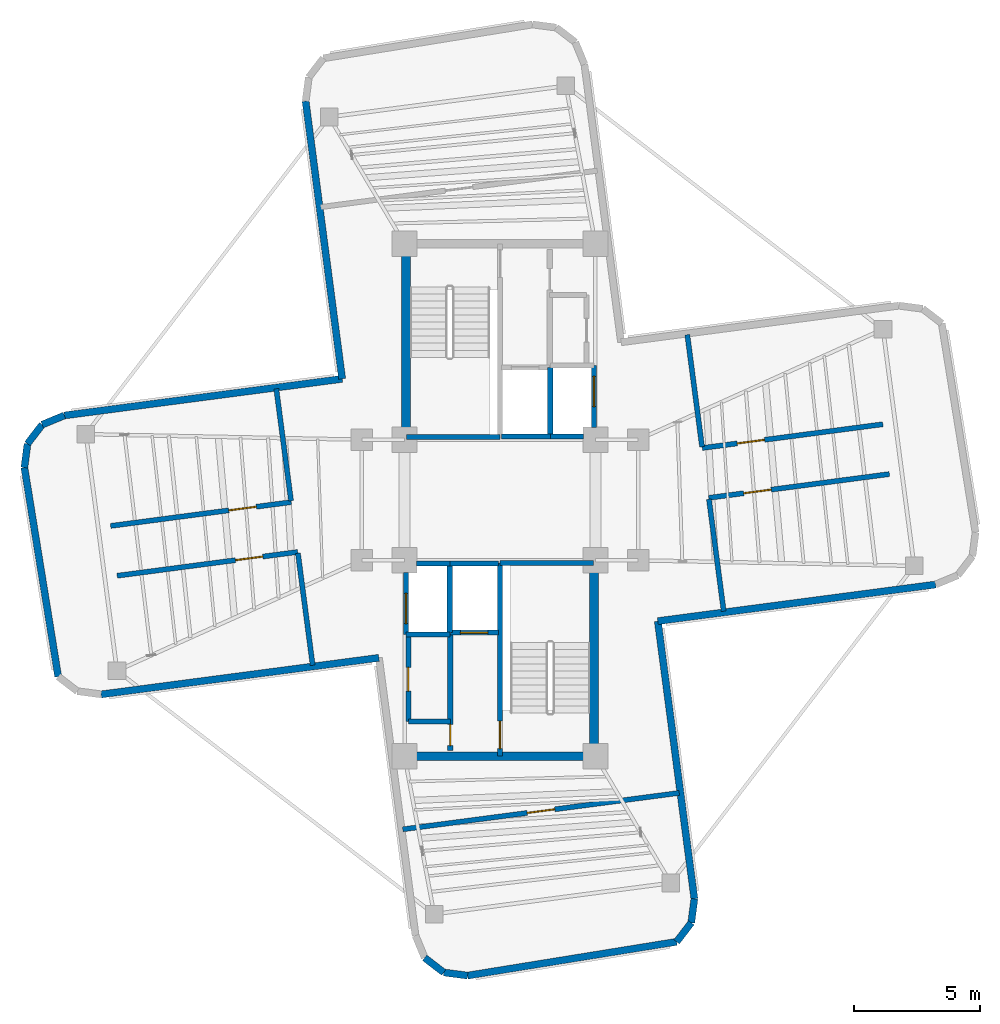
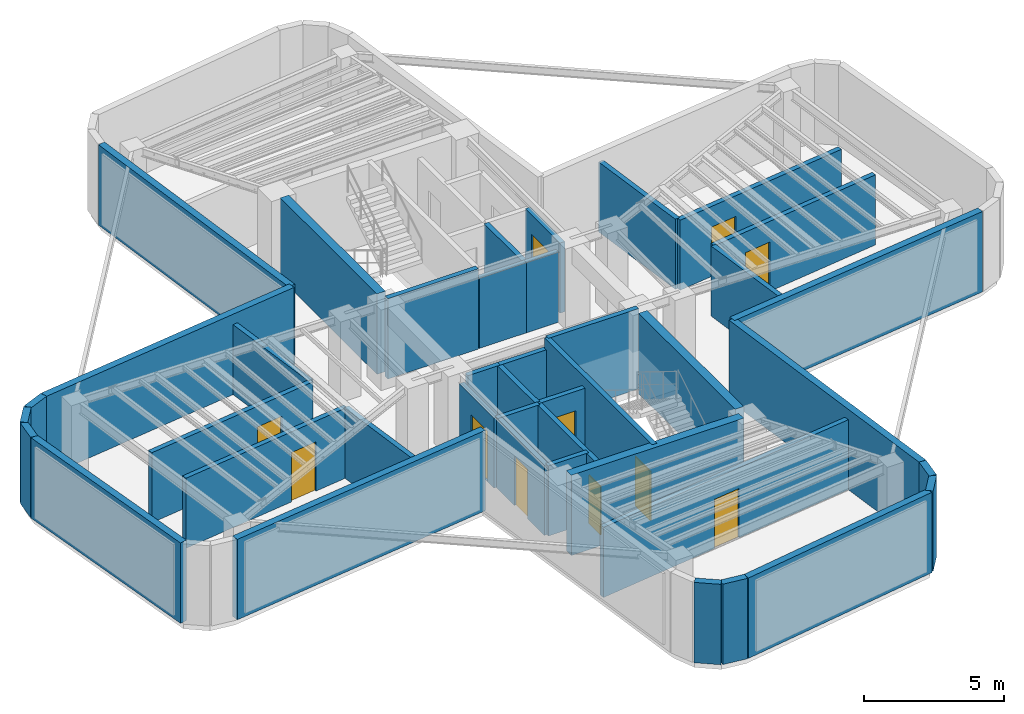
# One storey, part 4 of 6: 42 walls, 11 doors, 11 openings.
"""IFC4 building model written with IfcOpenShell, lengths in metres."""

from ifc_helpers import new_model, si_unit, direction, frame, frame_2d, origin, origin_2d, place, context, subcontext, project, spatial, rectangle, extrude, source, transform, mapped, material, layer, layer_set, type_object, element, fill, save


model = new_model("IFC4")

# Units and contexts
model_context = context("Model", 3, precision=1e-05, world=origin(), true_north=direction((0.0, 1.0)))
body_context = subcontext(model_context, "Body", "Model", "MODEL_VIEW")
ifc_project = project(units=[si_unit("LENGTHUNIT", "METRE"), si_unit("AREAUNIT", "SQUARE_METRE"), si_unit("VOLUMEUNIT", "CUBIC_METRE"), si_unit("PLANEANGLEUNIT", "RADIAN"), si_unit("MASSUNIT", "GRAM", prefix="KILO")], contexts=[model_context])

# Site, building, storey
site_placement = place(None, origin())
site = spatial("IfcSite", under=ifc_project, at=site_placement, CompositionType="ELEMENT")
building_placement = place(site_placement, origin())
building = spatial("IfcBuilding", under=site, at=building_placement, Name="Sahyath Konkavel Grand Hotel", CompositionType="ELEMENT")
storey_placement = place(building_placement, frame((0.0, 0.0, 296.5)))
storey = spatial("IfcBuildingStorey", under=building, at=storey_placement, Name="L82", CompositionType="ELEMENT", Elevation=296.5)

# Walls
ifc_material_1 = material(Name="Concrete C40/50", Category="concrete")
ifc_layer_1 = layer(ifc_material_1, 0.35009765625)
ifc_layer_set_1 = layer_set([ifc_layer_1], Name="Concrete C40/50")
wall_type_1 = type_object("IfcWallType", Name="CWALL-350", PredefinedType="SHEAR", material=ifc_layer_set_1)
wall_1_placement = place(storey_placement, frame((-3.739990234375, 2.85009765625, 0.0), z_axis=(0.0, 0.0, 1.0), x_axis=(0.0, 1.0, 0.0)))
element("IfcWall", 1, at=wall_1_placement, inside=storey, type_object=wall_type_1, Name="L82 North Core Shear Wall W", PredefinedType="SHEAR", context=body_context, shape_type="SweptSolid", body=[
    extrude(rectangle(XDim=6.89990234375, YDim=0.35009765625, at=frame_2d((3.449951171875, 0.0))), origin(), (0.0, 0.0, 1.0), 3.5),
])
wall_2_placement = place(storey_placement, frame((-3.550048828125, -10.199951171875, 0.0), z_axis=(0.0, 0.0, 1.0), x_axis=(1.0, 0.0, 0.0)))
element("IfcWall", 2, at=wall_2_placement, inside=storey, type_object=wall_type_1, Name="L82 South Core Shear Wall S", PredefinedType="SHEAR", context=body_context, shape_type="SweptSolid", body=[
    extrude(rectangle(XDim=7.10009765625, YDim=0.35009765625, at=frame_2d((3.550048828125, 0.0))), origin(), (0.0, 0.0, 1.0), 3.5),
])
wall_3_placement = place(storey_placement, frame((3.739990234375, -9.75, 0.0), z_axis=(0.0, 0.0, 1.0), x_axis=(0.0, 1.0, 0.0)))
element("IfcWall", 3, at=wall_3_placement, inside=storey, type_object=wall_type_1, Name="L82 South Core Shear Wall E", PredefinedType="SHEAR", context=body_context, shape_type="SweptSolid", body=[
    extrude(rectangle(XDim=6.89990234375, YDim=0.35009765625, at=frame_2d((3.449951171875, 0.0))), origin(), (0.0, 0.0, 1.0), 3.5),
])
ifc_layer_2 = layer(ifc_material_1, 0.199951171875)
ifc_layer_set_2 = layer_set([ifc_layer_2], Name="Concrete C40/50")
wall_type_2 = type_object("IfcWallType", Name="WLL-CORE-200", PredefinedType="SOLIDWALL", material=ifc_layer_set_2)
wall_4_placement = place(storey_placement, frame((-3.719970703125, 2.5, 0.0), z_axis=(0.0, 0.0, 1.0), x_axis=(1.0, 0.0, 0.0)))
element("IfcWall", 4, at=wall_4_placement, inside=storey, type_object=wall_type_2, Name="L82 Stair ST-1 Shaft Wall S", PredefinedType="SOLIDWALL", context=body_context, shape_type="SweptSolid", body=[
    extrude(rectangle(XDim=3.719970703125, YDim=0.199951171875, at=frame_2d((1.85986328125, 0.0))), origin(), (0.0, 0.0, 1.0), 3.5),
])

# Wall, opening, door
wall_5_placement = place(storey_placement, frame((0.0, -10.179931640625, 0.0), z_axis=(0.0, 0.0, 1.0), x_axis=(0.0, 1.0, 0.0)))
wall_5 = element("IfcWall", 5, at=wall_5_placement, inside=storey, type_object=wall_type_2, Name="L82 Stair ST-2 Shaft Wall W", PredefinedType="SOLIDWALL", context=body_context, shape_type="SweptSolid", body=[
    extrude(rectangle(XDim=7.679931640625, YDim=0.199951171875, at=frame_2d((3.83984375, 0.0))), origin(), (0.0, 0.0, 1.0), 3.5),
])
opening_1_placement = place(wall_5_placement, frame((0.280029296875, 0.0, 0.0)))
opening_1 = element("IfcOpeningElement", 6, at=opening_1_placement, cuts=wall_5, Name="Opening D-F12B", PredefinedType="OPENING", context=body_context, shape_type="SweptSolid", body=[
    extrude(rectangle(XDim=1.10009765625, YDim=2.14990234375, at=frame_2d((0.550048828125, 1.074951171875))), frame((0.0, 0.10986328125, 0.0), z_axis=(0.0, -1.0, 0.0), x_axis=(1.0, 0.0, 0.0)), (0.0, 0.0, 1.0), 0.219970703125),
])
ifc_material_2 = material(Name="Steel E350 Smokeproof Fire Door", Category="steel")
door_type_1 = type_object("IfcDoorType", Name="DR-FD120-1100", OperationType="NOTDEFINED", PredefinedType="DOOR", material=ifc_material_2)
shared_shape_1 = source(origin(), body_context, "Body", "SweptSolid", [
    extrude(rectangle(XDim=1.10009765625, YDim=0.050048828125, at=origin_2d()), origin(), (0.0, 0.0, 1.0), 2.14990234375),
])
door_1_placement = place(opening_1_placement, frame((0.550048828125, 0.0, 0.0)))
door_1 = element("IfcDoor", 7, at=door_1_placement, inside=storey, type_object=door_type_1, Name="L82 Stair ST-2 Fire Door", OperationType="SINGLE_SWING_LEFT", OverallHeight=2.14990234375, OverallWidth=1.10009765625, PredefinedType="DOOR", context=body_context, shape_type="MappedRepresentation", body=[
    mapped(shared_shape_1, transform((0.0, 0.0, 0.0), scale=1.0)),
])
fill(opening_1, door_1)

# Wall
wall_6_placement = place(storey_placement, frame((0.0, -2.5, 0.0), z_axis=(0.0, 0.0, 1.0), x_axis=(1.0, 0.0, 0.0)))
element("IfcWall", 8, at=wall_6_placement, inside=storey, type_object=wall_type_2, Name="L82 Stair ST-2 Shaft Wall N", PredefinedType="SOLIDWALL", context=body_context, shape_type="SweptSolid", body=[
    extrude(rectangle(XDim=3.719970703125, YDim=0.199951171875, at=frame_2d((1.85986328125, 0.0))), origin(), (0.0, 0.0, 1.0), 3.5),
])

# Wall, opening, door
wall_7_placement = place(storey_placement, frame((-1.97998046875, -9.97998046875, 0.0), z_axis=(0.0, 0.0, 1.0), x_axis=(0.0, 1.0, 0.0)))
wall_7 = element("IfcWall", 9, at=wall_7_placement, inside=storey, type_object=wall_type_2, Name="L82 South Firefighting Lobby Wall W", PredefinedType="SOLIDWALL", context=body_context, shape_type="SweptSolid", body=[
    extrude(rectangle(XDim=4.659912109375, YDim=0.199951171875, at=frame_2d((2.330078125, 0.0))), origin(), (0.0, 0.0, 1.0), 3.050048828125),
])
opening_2_placement = place(wall_7_placement, frame((0.199951171875, 0.0, 0.0)))
opening_2 = element("IfcOpeningElement", 10, at=opening_2_placement, cuts=wall_7, Name="Opening D-F12D", PredefinedType="OPENING", context=body_context, shape_type="SweptSolid", body=[
    extrude(rectangle(XDim=0.85009765625, YDim=2.10009765625, at=frame_2d((0.425048828125, 1.050048828125))), frame((0.0, 0.10986328125, 0.0), z_axis=(0.0, -1.0, 0.0), x_axis=(1.0, 0.0, 0.0)), (0.0, 0.0, 1.0), 0.219970703125),
])
ifc_material_3 = material(Name="Steel E350 Core Fire Door", Category="steel")
door_type_2 = type_object("IfcDoorType", Name="DR-FD120-850", OperationType="NOTDEFINED", PredefinedType="DOOR", material=ifc_material_3)
shared_shape_2 = source(origin(), body_context, "Body", "SweptSolid", [
    extrude(rectangle(XDim=0.85009765625, YDim=0.050048828125, at=origin_2d()), origin(), (0.0, 0.0, 1.0), 2.10009765625),
])
door_2_placement = place(opening_2_placement, frame((0.425048828125, 0.0, 0.0)))
door_2 = element("IfcDoor", 11, at=door_2_placement, inside=storey, type_object=door_type_2, Name="L82 South Firefighting Lobby Door", OperationType="SINGLE_SWING_LEFT", OverallHeight=2.10009765625, OverallWidth=0.85009765625, PredefinedType="DOOR", context=body_context, shape_type="MappedRepresentation", body=[
    mapped(shared_shape_2, transform((0.0, 0.0, 0.0), scale=1.0)),
])
fill(opening_2, door_2)

# Walls
wall_8_placement = place(storey_placement, frame((2.0, 2.5, 0.0), z_axis=(0.0, 0.0, 1.0), x_axis=(0.0, 1.0, 0.0)))
element("IfcWall", 12, at=wall_8_placement, inside=storey, type_object=wall_type_2, Name="L82 Partition SH-FFL1-E", PredefinedType="SOLIDWALL", context=body_context, shape_type="SweptSolid", body=[
    extrude(rectangle(XDim=2.780029296875, YDim=0.199951171875, at=frame_2d((1.39013671875, 0.0))), origin(), (0.0, 0.0, 1.0), 3.050048828125),
])
wall_9_placement = place(storey_placement, frame((0.050048828125, 2.52001953125, 0.0), z_axis=(0.0, 0.0, 1.0), x_axis=(1.0, 0.0, 0.0)))
element("IfcWall", 13, at=wall_9_placement, inside=storey, type_object=wall_type_2, Name="L82 Partition SH-FFL1-S", PredefinedType="SOLIDWALL", context=body_context, shape_type="SweptSolid", body=[
    extrude(rectangle(XDim=1.949951171875, YDim=0.199951171875, at=frame_2d((0.97509765625, 0.0))), origin(), (0.0, 0.0, 1.0), 3.050048828125),
])
wall_10_placement = place(storey_placement, frame((-2.0, -5.280029296875, 0.0), z_axis=(0.0, 0.0, 1.0), x_axis=(0.0, 1.0, 0.0)))
element("IfcWall", 14, at=wall_10_placement, inside=storey, type_object=wall_type_2, Name="L82 Partition SH-FFL2-W", PredefinedType="SOLIDWALL", context=body_context, shape_type="SweptSolid", body=[
    extrude(rectangle(XDim=2.780029296875, YDim=0.199951171875, at=frame_2d((1.39013671875, 0.0))), origin(), (0.0, 0.0, 1.0), 3.050048828125),
])
wall_11_placement = place(storey_placement, frame((-2.0, -2.52001953125, 0.0), z_axis=(0.0, 0.0, 1.0), x_axis=(1.0, 0.0, 0.0)))
element("IfcWall", 15, at=wall_11_placement, inside=storey, type_object=wall_type_2, Name="L82 Partition SH-FFL2-N", PredefinedType="SOLIDWALL", context=body_context, shape_type="SweptSolid", body=[
    extrude(rectangle(XDim=1.949951171875, YDim=0.199951171875, at=frame_2d((0.97509765625, 0.0))), origin(), (0.0, 0.0, 1.0), 3.050048828125),
])

# Wall, opening, door
wall_12_placement = place(storey_placement, frame((-1.97998046875, -5.280029296875, 0.0), z_axis=(0.0, 0.0, 1.0), x_axis=(1.0, 0.0, 0.0)))
wall_12 = element("IfcWall", 16, at=wall_12_placement, inside=storey, type_object=wall_type_2, Name="L82 Partition SH-FFL2-S", PredefinedType="SOLIDWALL", context=body_context, shape_type="SweptSolid", body=[
    extrude(rectangle(XDim=1.929931640625, YDim=0.199951171875, at=frame_2d((0.96484375, 0.0))), origin(), (0.0, 0.0, 1.0), 3.050048828125),
])
opening_3_placement = place(wall_12_placement, frame((0.39990234375, 0.0, 0.0)))
opening_3 = element("IfcOpeningElement", 17, at=opening_3_placement, cuts=wall_12, Name="Opening LD-11", PredefinedType="OPENING", context=body_context, shape_type="SweptSolid", body=[
    extrude(rectangle(XDim=1.10009765625, YDim=2.199951171875, at=frame_2d((0.550048828125, 1.10009765625))), frame((0.0, 0.10986328125, 0.0), z_axis=(0.0, -1.0, 0.0), x_axis=(1.0, 0.0, 0.0)), (0.0, 0.0, 1.0), 0.219970703125),
])
ifc_material_4 = material(Name="Bronze Lift Landing Door 1100")
door_type_3 = type_object("IfcDoorType", Name="DR-LIFT-1100", OperationType="DOUBLE_DOOR_SLIDING", PredefinedType="DOOR", material=ifc_material_4)
shared_shape_3 = source(origin(), body_context, "Body", "SweptSolid", [
    extrude(rectangle(XDim=1.10009765625, YDim=0.050048828125, at=origin_2d()), origin(), (0.0, 0.0, 1.0), 2.199951171875),
])
door_3_placement = place(opening_3_placement, frame((0.550048828125, 0.0, 0.0)))
door_3 = element("IfcDoor", 18, at=door_3_placement, inside=storey, type_object=door_type_3, Name="L82 Lift FFL-2 Landing Door", OperationType="DOUBLE_DOOR_SLIDING", OverallHeight=2.199951171875, OverallWidth=1.10009765625, PredefinedType="DOOR", context=body_context, shape_type="MappedRepresentation", body=[
    mapped(shared_shape_3, transform((0.0, 0.0, 0.0), scale=1.0)),
])
fill(opening_3, door_3)

# Wall
wall_13_placement = place(storey_placement, frame((2.0, 2.52001953125, 0.0), z_axis=(0.0, 0.0, 1.0), x_axis=(1.0, 0.0, 0.0)))
element("IfcWall", 19, at=wall_13_placement, inside=storey, type_object=wall_type_2, Name="L82 Partition SH-SVL1-S", PredefinedType="SOLIDWALL", context=body_context, shape_type="SweptSolid", body=[
    extrude(rectangle(XDim=1.320068359375, YDim=0.199951171875, at=frame_2d((0.66015625, 0.0))), origin(), (0.0, 0.0, 1.0), 3.050048828125),
])

# Wall, opening, door
wall_14_placement = place(storey_placement, frame((3.739990234375, 2.8798828125, 0.0), z_axis=(0.0, 0.0, 1.0), x_axis=(0.0, 1.0, 0.0)))
wall_14 = element("IfcWall", 20, at=wall_14_placement, inside=storey, type_object=wall_type_2, Name="L82 Partition SH-SVL1-E", PredefinedType="SOLIDWALL", context=body_context, shape_type="SweptSolid", body=[
    extrude(rectangle(XDim=2.480224609375, YDim=0.199951171875, at=frame_2d((1.240234375, 0.0))), origin(), (0.0, 0.0, 1.0), 3.050048828125),
])
opening_4_placement = place(wall_14_placement, frame((0.840087890625, 0.0, 0.0)))
opening_4 = element("IfcOpeningElement", 21, at=opening_4_placement, cuts=wall_14, Name="Opening LD-12", PredefinedType="OPENING", context=body_context, shape_type="SweptSolid", body=[
    extrude(rectangle(XDim=1.199951171875, YDim=2.199951171875, at=frame_2d((0.60009765625, 1.10009765625))), frame((0.0, 0.10986328125, 0.0), z_axis=(0.0, -1.0, 0.0), x_axis=(1.0, 0.0, 0.0)), (0.0, 0.0, 1.0), 0.219970703125),
])
ifc_material_5 = material(Name="Stainless Steel Lift Landing Door 1200", Category="steel")
door_type_4 = type_object("IfcDoorType", Name="DR-LIFT-1200", OperationType="DOUBLE_DOOR_SLIDING", PredefinedType="DOOR", material=ifc_material_5)
shared_shape_4 = source(origin(), body_context, "Body", "SweptSolid", [
    extrude(rectangle(XDim=1.199951171875, YDim=0.050048828125, at=origin_2d()), origin(), (0.0, 0.0, 1.0), 2.199951171875),
])
door_4_placement = place(opening_4_placement, frame((0.60009765625, 0.0, 0.0)))
door_4 = element("IfcDoor", 22, at=door_4_placement, inside=storey, type_object=door_type_4, Name="L82 Service Lift SVL-1 Landing Door", OperationType="DOUBLE_DOOR_SLIDING", OverallHeight=2.199951171875, OverallWidth=1.199951171875, PredefinedType="DOOR", context=body_context, shape_type="MappedRepresentation", body=[
    mapped(shared_shape_4, transform((0.0, 0.0, 0.0), scale=1.0)),
])
fill(opening_4, door_4)

# Walls
wall_15_placement = place(storey_placement, frame((-3.320068359375, -2.52001953125, 0.0), z_axis=(0.0, 0.0, 1.0), x_axis=(1.0, 0.0, 0.0)))
element("IfcWall", 23, at=wall_15_placement, inside=storey, type_object=wall_type_2, Name="L82 Partition SH-SVL2-N", PredefinedType="SOLIDWALL", context=body_context, shape_type="SweptSolid", body=[
    extrude(rectangle(XDim=1.320068359375, YDim=0.199951171875, at=frame_2d((0.66015625, 0.0))), origin(), (0.0, 0.0, 1.0), 3.050048828125),
])
wall_16_placement = place(storey_placement, frame((-3.739990234375, -5.360107421875, 0.0), z_axis=(0.0, 0.0, 1.0), x_axis=(1.0, 0.0, 0.0)))
element("IfcWall", 24, at=wall_16_placement, inside=storey, type_object=wall_type_2, Name="L82 Partition SH-SVL2-S", PredefinedType="SOLIDWALL", context=body_context, shape_type="SweptSolid", body=[
    extrude(rectangle(XDim=1.739990234375, YDim=0.199951171875, at=frame_2d((0.8701171875, 0.0))), origin(), (0.0, 0.0, 1.0), 3.050048828125),
])

# Wall, opening, door
wall_17_placement = place(storey_placement, frame((-3.739990234375, -5.360107421875, 0.0), z_axis=(0.0, 0.0, 1.0), x_axis=(0.0, 1.0, 0.0)))
wall_17 = element("IfcWall", 25, at=wall_17_placement, inside=storey, type_object=wall_type_2, Name="L82 Partition SH-SVL2-W", PredefinedType="SOLIDWALL", context=body_context, shape_type="SweptSolid", body=[
    extrude(rectangle(XDim=2.480224609375, YDim=0.199951171875, at=frame_2d((1.240234375, 0.0))), origin(), (0.0, 0.0, 1.0), 3.050048828125),
])
opening_5_placement = place(wall_17_placement, frame((0.43994140625, 0.0, 0.0)))
opening_5 = element("IfcOpeningElement", 26, at=opening_5_placement, cuts=wall_17, Name="Opening LD-12", PredefinedType="OPENING", context=body_context, shape_type="SweptSolid", body=[
    extrude(rectangle(XDim=1.199951171875, YDim=2.199951171875, at=frame_2d((0.60009765625, 1.10009765625))), frame((0.0, 0.10986328125, 0.0), z_axis=(0.0, -1.0, 0.0), x_axis=(1.0, 0.0, 0.0)), (0.0, 0.0, 1.0), 0.219970703125),
])
door_5_placement = place(opening_5_placement, frame((0.60009765625, 0.0, 0.0)))
door_5 = element("IfcDoor", 27, at=door_5_placement, inside=storey, type_object=door_type_4, Name="L82 Service Lift SVL-2 Landing Door", OperationType="DOUBLE_DOOR_SLIDING", OverallHeight=2.199951171875, OverallWidth=1.199951171875, PredefinedType="DOOR", context=body_context, shape_type="MappedRepresentation", body=[
    mapped(shared_shape_4, transform((0.0, 0.0, 0.0), scale=1.0)),
])
fill(opening_5, door_5)

wall_18_placement = place(storey_placement, frame((-3.64990234375, -8.81005859375, 0.0), z_axis=(0.0, 0.0, 1.0), x_axis=(0.0, 1.0, 0.0)))
wall_18 = element("IfcWall", 28, at=wall_18_placement, inside=storey, type_object=wall_type_2, Name="L82 Reclaimed South Core Wall W", PredefinedType="SOLIDWALL", context=body_context, shape_type="SweptSolid", body=[
    extrude(rectangle(XDim=3.43017578125, YDim=0.199951171875, at=frame_2d((1.715087890625, 0.0))), origin(), (0.0, 0.0, 1.0), 3.050048828125),
])
opening_6_placement = place(wall_18_placement, frame((1.199951171875, 0.0, 0.0)))
opening_6 = element("IfcOpeningElement", 29, at=opening_6_placement, cuts=wall_18, Name="Opening D-AC95", PredefinedType="OPENING", context=body_context, shape_type="SweptSolid", body=[
    extrude(rectangle(XDim=0.949951171875, YDim=2.14990234375, at=frame_2d((0.47509765625, 1.074951171875))), frame((0.0, 0.10986328125, 0.0), z_axis=(0.0, -1.0, 0.0), x_axis=(1.0, 0.0, 0.0)), (0.0, 0.0, 1.0), 0.219970703125),
])
ifc_material_6 = material(Name="Accessible Washroom Timber Door", Category="wood")
door_type_5 = type_object("IfcDoorType", Name="DR-ACC-950", OperationType="NOTDEFINED", PredefinedType="DOOR", material=ifc_material_6)
shared_shape_5 = source(origin(), body_context, "Body", "SweptSolid", [
    extrude(rectangle(XDim=0.949951171875, YDim=0.050048828125, at=origin_2d()), origin(), (0.0, 0.0, 1.0), 2.14990234375),
])
door_6_placement = place(opening_6_placement, frame((0.47509765625, 0.0, 0.0)))
door_6 = element("IfcDoor", 30, at=door_6_placement, inside=storey, type_object=door_type_5, Name="L82 Door SC-REC1-D", OperationType="SINGLE_SWING_LEFT", OverallHeight=2.14990234375, OverallWidth=0.949951171875, PredefinedType="DOOR", context=body_context, shape_type="MappedRepresentation", body=[
    mapped(shared_shape_5, transform((0.0, 0.0, 0.0), scale=1.0)),
])
fill(opening_6, door_6)

# Wall
wall_19_placement = place(storey_placement, frame((-3.64990234375, -8.81005859375, 0.0), z_axis=(0.0, 0.0, 1.0), x_axis=(1.0, 0.0, 0.0)))
element("IfcWall", 31, at=wall_19_placement, inside=storey, type_object=wall_type_2, Name="L82 Partition SC-REC-S", PredefinedType="SOLIDWALL", context=body_context, shape_type="SweptSolid", body=[
    extrude(rectangle(XDim=1.669921875, YDim=0.199951171875, at=frame_2d((0.8349609375, 0.0))), origin(), (0.0, 0.0, 1.0), 3.050048828125),
])

# Wall, opening, door
wall_20_placement = place(storey_placement, frame((8.048828125, 2.068359375, 0.0), z_axis=(0.0, 0.0, 1.0), x_axis=(0.991445353075, 0.130522457324, 0.0)))
wall_20 = element("IfcWall", 32, at=wall_20_placement, inside=storey, type_object=wall_type_2, Name="L82 Partition CP-E1-W", PredefinedType="SOLIDWALL", context=body_context, shape_type="SweptSolid", body=[
    extrude(rectangle(XDim=7.25, YDim=0.199951171875, at=frame_2d((3.625, 0.0))), origin(), (0.0, 0.0, 1.0), 3.050048828125),
])
opening_7_placement = place(wall_20_placement, frame((1.39990234375, 0.0, 0.0)))
opening_7 = element("IfcOpeningElement", 33, at=opening_7_placement, cuts=wall_20, Name="Opening D-F12B", PredefinedType="OPENING", context=body_context, shape_type="SweptSolid", body=[
    extrude(rectangle(XDim=1.10009765625, YDim=2.14990234375, at=frame_2d((0.550048828125, 1.074951171875))), frame((0.0, 0.10986328125, 0.0), z_axis=(0.0, -1.0, 0.0), x_axis=(1.0, 0.0, 0.0)), (0.0, 0.0, 1.0), 0.219970703125),
])
door_7_placement = place(opening_7_placement, frame((0.550048828125, 0.0, 0.0)))
door_7 = element("IfcDoor", 34, at=door_7_placement, inside=storey, type_object=door_type_1, Name="L82 Door CP-E1-D", OperationType="SINGLE_SWING_RIGHT", OverallHeight=2.14990234375, OverallWidth=1.10009765625, PredefinedType="DOOR", context=body_context, shape_type="MappedRepresentation", body=[
    mapped(shared_shape_1, transform((0.0, 0.0, 0.0), scale=1.0)),
])
fill(opening_7, door_7)

# Wall
wall_21_placement = place(storey_placement, frame((8.04248046875, 2.117919921875, 0.0), z_axis=(0.0, 0.0, 1.0), x_axis=(-0.130535912089, 0.99144358168, 0.0)))
element("IfcWall", 35, at=wall_21_placement, inside=storey, type_object=wall_type_2, Name="L82 Partition CP-E1-IN", PredefinedType="SOLIDWALL", context=body_context, shape_type="SweptSolid", body=[
    extrude(rectangle(XDim=4.5, YDim=0.199951171875, at=frame_2d((2.25, 0.0))), origin(), (0.0, 0.0, 1.0), 3.050048828125),
])

# Wall, opening, door
wall_22_placement = place(storey_placement, frame((8.309814453125, 0.08544921875, 0.0), z_axis=(0.0, 0.0, 1.0), x_axis=(0.991445353075, 0.130522457324, 0.0)))
wall_22 = element("IfcWall", 36, at=wall_22_placement, inside=storey, type_object=wall_type_2, Name="L82 Partition CP-E2-W", PredefinedType="SOLIDWALL", context=body_context, shape_type="SweptSolid", body=[
    extrude(rectangle(XDim=7.25, YDim=0.199951171875, at=frame_2d((3.625, 0.0))), origin(), (0.0, 0.0, 1.0), 3.050048828125),
])
opening_8_placement = place(wall_22_placement, frame((1.39990234375, 0.0, 0.0)))
opening_8 = element("IfcOpeningElement", 37, at=opening_8_placement, cuts=wall_22, Name="Opening D-F12B", PredefinedType="OPENING", context=body_context, shape_type="SweptSolid", body=[
    extrude(rectangle(XDim=1.10009765625, YDim=2.14990234375, at=frame_2d((0.550048828125, 1.074951171875))), frame((0.0, 0.10986328125, 0.0), z_axis=(0.0, -1.0, 0.0), x_axis=(1.0, 0.0, 0.0)), (0.0, 0.0, 1.0), 0.219970703125),
])
door_8_placement = place(opening_8_placement, frame((0.550048828125, 0.0, 0.0)))
door_8 = element("IfcDoor", 38, at=door_8_placement, inside=storey, type_object=door_type_1, Name="L82 Door CP-E2-D", OperationType="SINGLE_SWING_LEFT", OverallHeight=2.14990234375, OverallWidth=1.10009765625, PredefinedType="DOOR", context=body_context, shape_type="MappedRepresentation", body=[
    mapped(shared_shape_1, transform((0.0, 0.0, 0.0), scale=1.0)),
])
fill(opening_8, door_8)

# Wall
wall_23_placement = place(storey_placement, frame((8.90380859375, -4.42578125, 0.0), z_axis=(0.0, 0.0, 1.0), x_axis=(-0.130528890923, 0.991444506079, 0.0)))
element("IfcWall", 39, at=wall_23_placement, inside=storey, type_object=wall_type_2, Name="L82 Partition CP-E2-IN", PredefinedType="SOLIDWALL", context=body_context, shape_type="SweptSolid", body=[
    extrude(rectangle(XDim=4.500244140625, YDim=0.199951171875, at=frame_2d((2.25, 0.0))), origin(), (0.0, 0.0, 1.0), 3.050048828125),
])

# Wall, opening, door
wall_24_placement = place(storey_placement, frame((-8.048828125, -2.068359375, 0.0), z_axis=(0.0, 0.0, 1.0), x_axis=(-0.991445353075, -0.130522457324, 0.0)))
wall_24 = element("IfcWall", 40, at=wall_24_placement, inside=storey, type_object=wall_type_2, Name="L82 Partition CP-W1-W", PredefinedType="SOLIDWALL", context=body_context, shape_type="SweptSolid", body=[
    extrude(rectangle(XDim=7.25, YDim=0.199951171875, at=frame_2d((3.625, 0.0))), origin(), (0.0, 0.0, 1.0), 3.050048828125),
])
opening_9_placement = place(wall_24_placement, frame((1.39990234375, 0.0, 0.0)))
opening_9 = element("IfcOpeningElement", 41, at=opening_9_placement, cuts=wall_24, Name="Opening D-F12B", PredefinedType="OPENING", context=body_context, shape_type="SweptSolid", body=[
    extrude(rectangle(XDim=1.10009765625, YDim=2.14990234375, at=frame_2d((0.550048828125, 1.074951171875))), frame((0.0, 0.10986328125, 0.0), z_axis=(0.0, -1.0, 0.0), x_axis=(1.0, 0.0, 0.0)), (0.0, 0.0, 1.0), 0.219970703125),
])
door_9_placement = place(opening_9_placement, frame((0.550048828125, 0.0, 0.0)))
door_9 = element("IfcDoor", 42, at=door_9_placement, inside=storey, type_object=door_type_1, Name="L82 Door CP-W1-D", OperationType="SINGLE_SWING_RIGHT", OverallHeight=2.14990234375, OverallWidth=1.10009765625, PredefinedType="DOOR", context=body_context, shape_type="MappedRepresentation", body=[
    mapped(shared_shape_1, transform((0.0, 0.0, 0.0), scale=1.0)),
])
fill(opening_9, door_9)

# Wall
wall_25_placement = place(storey_placement, frame((-8.04248046875, -2.117919921875, 0.0), z_axis=(0.0, 0.0, 1.0), x_axis=(0.130535912089, -0.99144358168, 0.0)))
element("IfcWall", 43, at=wall_25_placement, inside=storey, type_object=wall_type_2, Name="L82 Partition CP-W1-IN", PredefinedType="SOLIDWALL", context=body_context, shape_type="SweptSolid", body=[
    extrude(rectangle(XDim=4.5, YDim=0.199951171875, at=frame_2d((2.25, 0.0))), origin(), (0.0, 0.0, 1.0), 3.050048828125),
])

# Wall, opening, door
wall_26_placement = place(storey_placement, frame((-8.309814453125, -0.08544921875, 0.0), z_axis=(0.0, 0.0, 1.0), x_axis=(-0.991445353075, -0.130522457324, 0.0)))
wall_26 = element("IfcWall", 44, at=wall_26_placement, inside=storey, type_object=wall_type_2, Name="L82 Partition CP-W2-W", PredefinedType="SOLIDWALL", context=body_context, shape_type="SweptSolid", body=[
    extrude(rectangle(XDim=7.25, YDim=0.199951171875, at=frame_2d((3.625, 0.0))), origin(), (0.0, 0.0, 1.0), 3.050048828125),
])
opening_10_placement = place(wall_26_placement, frame((1.39990234375, 0.0, 0.0)))
opening_10 = element("IfcOpeningElement", 45, at=opening_10_placement, cuts=wall_26, Name="Opening D-F12B", PredefinedType="OPENING", context=body_context, shape_type="SweptSolid", body=[
    extrude(rectangle(XDim=1.10009765625, YDim=2.14990234375, at=frame_2d((0.550048828125, 1.074951171875))), frame((0.0, 0.10986328125, 0.0), z_axis=(0.0, -1.0, 0.0), x_axis=(1.0, 0.0, 0.0)), (0.0, 0.0, 1.0), 0.219970703125),
])
door_10_placement = place(opening_10_placement, frame((0.550048828125, 0.0, 0.0)))
door_10 = element("IfcDoor", 46, at=door_10_placement, inside=storey, type_object=door_type_1, Name="L82 Door CP-W2-D", OperationType="SINGLE_SWING_LEFT", OverallHeight=2.14990234375, OverallWidth=1.10009765625, PredefinedType="DOOR", context=body_context, shape_type="MappedRepresentation", body=[
    mapped(shared_shape_1, transform((0.0, 0.0, 0.0), scale=1.0)),
])
fill(opening_10, door_10)

# Wall
wall_27_placement = place(storey_placement, frame((-8.90380859375, 4.42578125, 0.0), z_axis=(0.0, 0.0, 1.0), x_axis=(0.130528890923, -0.991444506079, 0.0)))
element("IfcWall", 47, at=wall_27_placement, inside=storey, type_object=wall_type_2, Name="L82 Partition CP-W2-IN", PredefinedType="SOLIDWALL", context=body_context, shape_type="SweptSolid", body=[
    extrude(rectangle(XDim=4.500244140625, YDim=0.199951171875, at=frame_2d((2.25, 0.0))), origin(), (0.0, 0.0, 1.0), 3.050048828125),
])

# Wall, opening, door
wall_28_placement = place(storey_placement, frame((-3.872314453125, -13.107666015625, 0.0), z_axis=(0.0, 0.0, 1.0), x_axis=(0.991443437127, 0.130537009991, 0.0)))
wall_28 = element("IfcWall", 48, at=wall_28_placement, inside=storey, type_object=wall_type_2, Name="L82 Partition CP-BLR-IN", PredefinedType="SOLIDWALL", context=body_context, shape_type="SweptSolid", body=[
    extrude(rectangle(XDim=11.10009765625, YDim=0.199951171875, at=frame_2d((5.550048828125, 0.0))), origin(), (0.0, 0.0, 1.0), 3.050048828125),
])
opening_11_placement = place(wall_28_placement, frame((5.0, 0.0, 0.0)))
opening_11 = element("IfcOpeningElement", 49, at=opening_11_placement, cuts=wall_28, Name="Opening D-F12B", PredefinedType="OPENING", context=body_context, shape_type="SweptSolid", body=[
    extrude(rectangle(XDim=1.10009765625, YDim=2.14990234375, at=frame_2d((0.550048828125, 1.074951171875))), frame((0.0, 0.10986328125, 0.0), z_axis=(0.0, -1.0, 0.0), x_axis=(1.0, 0.0, 0.0)), (0.0, 0.0, 1.0), 0.219970703125),
])
door_11_placement = place(opening_11_placement, frame((0.550048828125, 0.0, 0.0)))
door_11 = element("IfcDoor", 50, at=door_11_placement, inside=storey, type_object=door_type_1, Name="L82 Door CP-BLR-D", OperationType="SINGLE_SWING_LEFT", OverallHeight=2.14990234375, OverallWidth=1.10009765625, PredefinedType="DOOR", context=body_context, shape_type="MappedRepresentation", body=[
    mapped(shared_shape_1, transform((0.0, 0.0, 0.0), scale=1.0)),
])
fill(opening_11, door_11)

# Walls
ifc_material_7 = material(Name="Warm Buff Sandstone Insulated Concrete C40/50", Category="masonry")
ifc_layer_3 = layer(ifc_material_7, 0.280029296875)
ifc_layer_set_3 = layer_set([ifc_layer_3], Name="Warm Buff Sandstone Insulated Concrete C40/50")
wall_type_3 = type_object("IfcWallType", Name="WLL-CROWN-CLAD", PredefinedType="SOLIDWALL", material=ifc_layer_set_3)
for number, where, z_axis, x_axis, name in (
    (51, (6.282958984375, -4.821044921875, 0.0), (0.0, 0.0, 1.0), (0.991445499165, 0.130521347626, 0.0), "L82 Crown Sandstone & Acoustic Louvre Wall 0"),
    (52, (-7.73828125, 15.875732421875, 0.0), (0.0, 0.0, 1.0), (0.130521347626, -0.991445499165, 0.0), "L82 Crown Sandstone & Acoustic Louvre Wall 15"),
    (53, (-6.282958984375, 4.821044921875, 0.0), (0.0, 0.0, 1.0), (-0.991445499165, -0.130521347626, 0.0), "L82 Crown Sandstone & Acoustic Louvre Wall 16"),
):
    element("IfcWall", number, at=place(storey_placement, frame(where, z_axis=z_axis, x_axis=x_axis)), inside=storey, type_object=wall_type_3, Name=name, PredefinedType="SOLIDWALL", context=body_context, shape_type="SweptSolid", body=[
        extrude(rectangle(XDim=11.150146484375, YDim=0.280029296875, at=frame_2d((5.5751953125, 0.0))), origin(), (0.0, 0.0, 1.0), 3.5),
    ])
for number, where, z_axis, x_axis, name in (
    (54, (-17.337646484375, 3.36572265625, 0.0), (0.0, 0.0, 1.0), (-0.923889442397, -0.382659506909, 0.0), "L82 Crown Sandstone & Acoustic Louvre Wall 17"),
    (55, (-18.222412109375, 2.999267578125, 0.0), (0.0, 0.0, 1.0), (-0.608774010809, -0.793343685778, 0.0), "L82 Crown Sandstone & Acoustic Louvre Wall 18"),
    (56, (-18.805419921875, 2.239501953125, 0.0), (0.0, 0.0, 1.0), (-0.130527053476, -0.991444747987, 0.0), "L82 Crown Sandstone & Acoustic Louvre Wall 19"),
):
    element("IfcWall", number, at=place(storey_placement, frame(where, z_axis=z_axis, x_axis=x_axis)), inside=storey, type_object=wall_type_3, Name=name, PredefinedType="SOLIDWALL", context=body_context, shape_type="SweptSolid", body=[
        extrude(rectangle(XDim=0.957763671875, YDim=0.280029296875, at=frame_2d((0.47900390625, 0.0))), origin(), (0.0, 0.0, 1.0), 3.5),
    ])
wall_29_placement = place(storey_placement, frame((-18.930419921875, 1.2900390625, 0.0), z_axis=(0.0, 0.0, 1.0), x_axis=(0.159629483961, -0.987176999251, 0.0)))
element("IfcWall", 57, at=wall_29_placement, inside=storey, type_object=wall_type_3, Name="L82 Crown Sandstone & Acoustic Louvre Wall 20", PredefinedType="SOLIDWALL", context=body_context, shape_type="SweptSolid", body=[
    extrude(rectangle(XDim=8.4287109375, YDim=0.280029296875, at=frame_2d((4.21435546875, 0.0))), origin(), (0.0, 0.0, 1.0), 3.5),
])
wall_30_placement = place(storey_placement, frame((-15.875732421875, -7.73828125, 0.0), z_axis=(0.0, 0.0, 1.0), x_axis=(0.991445499165, 0.130521347626, 0.0)))
element("IfcWall", 58, at=wall_30_placement, inside=storey, type_object=wall_type_3, Name="L82 Crown Sandstone & Acoustic Louvre Wall 23", PredefinedType="SOLIDWALL", context=body_context, shape_type="SweptSolid", body=[
    extrude(rectangle(XDim=11.150146484375, YDim=0.280029296875, at=frame_2d((5.5751953125, 0.0))), origin(), (0.0, 0.0, 1.0), 3.5),
])
for number, where, z_axis, x_axis, name in (
    (59, (-2.999267578125, -18.222412109375, 0.0), (0.0, 0.0, 1.0), (0.793343685778, -0.608774010809, 0.0), "L82 Crown Sandstone & Acoustic Louvre Wall 26"),
    (60, (-2.239501953125, -18.805419921875, 0.0), (0.0, 0.0, 1.0), (0.991444747987, -0.130527053476, 0.0), "L82 Crown Sandstone & Acoustic Louvre Wall 27"),
):
    element("IfcWall", number, at=place(storey_placement, frame(where, z_axis=z_axis, x_axis=x_axis)), inside=storey, type_object=wall_type_3, Name=name, PredefinedType="SOLIDWALL", context=body_context, shape_type="SweptSolid", body=[
        extrude(rectangle(XDim=0.957763671875, YDim=0.280029296875, at=frame_2d((0.47900390625, 0.0))), origin(), (0.0, 0.0, 1.0), 3.5),
    ])
wall_31_placement = place(storey_placement, frame((-1.2900390625, -18.930419921875, 0.0), z_axis=(0.0, 0.0, 1.0), x_axis=(0.987176999251, 0.159629483961, 0.0)))
element("IfcWall", 61, at=wall_31_placement, inside=storey, type_object=wall_type_3, Name="L82 Crown Sandstone & Acoustic Louvre Wall 28", PredefinedType="SOLIDWALL", context=body_context, shape_type="SweptSolid", body=[
    extrude(rectangle(XDim=8.4287109375, YDim=0.280029296875, at=frame_2d((4.21435546875, 0.0))), origin(), (0.0, 0.0, 1.0), 3.5),
])
wall_32_placement = place(storey_placement, frame((7.030517578125, -17.5849609375, 0.0), z_axis=(0.0, 0.0, 1.0), x_axis=(0.60861352168, 0.793466811674, 0.0)))
element("IfcWall", 62, at=wall_32_placement, inside=storey, type_object=wall_type_3, Name="L82 Crown Sandstone & Acoustic Louvre Wall 29", PredefinedType="SOLIDWALL", context=body_context, shape_type="SweptSolid", body=[
    extrude(rectangle(XDim=0.95751953125, YDim=0.280029296875, at=frame_2d((0.478759765625, 0.0))), origin(), (0.0, 0.0, 1.0), 3.5),
])
wall_33_placement = place(storey_placement, frame((7.61328125, -16.8251953125, 0.0), z_axis=(0.0, 0.0, 1.0), x_axis=(0.130527053476, 0.991444747987, 0.0)))
element("IfcWall", 63, at=wall_33_placement, inside=storey, type_object=wall_type_3, Name="L82 Crown Sandstone & Acoustic Louvre Wall 30", PredefinedType="SOLIDWALL", context=body_context, shape_type="SweptSolid", body=[
    extrude(rectangle(XDim=0.957763671875, YDim=0.280029296875, at=frame_2d((0.47900390625, 0.0))), origin(), (0.0, 0.0, 1.0), 3.5),
])
wall_34_placement = place(storey_placement, frame((7.73828125, -15.875732421875, 0.0), z_axis=(0.0, 0.0, 1.0), x_axis=(-0.130521347626, 0.991445499165, 0.0)))
element("IfcWall", 64, at=wall_34_placement, inside=storey, type_object=wall_type_3, Name="L82 Crown Sandstone & Acoustic Louvre Wall 31", PredefinedType="SOLIDWALL", context=body_context, shape_type="SweptSolid", body=[
    extrude(rectangle(XDim=11.150146484375, YDim=0.280029296875, at=frame_2d((5.5751953125, 0.0))), origin(), (0.0, 0.0, 1.0), 3.5),
])

save(model, "model.ifc")
